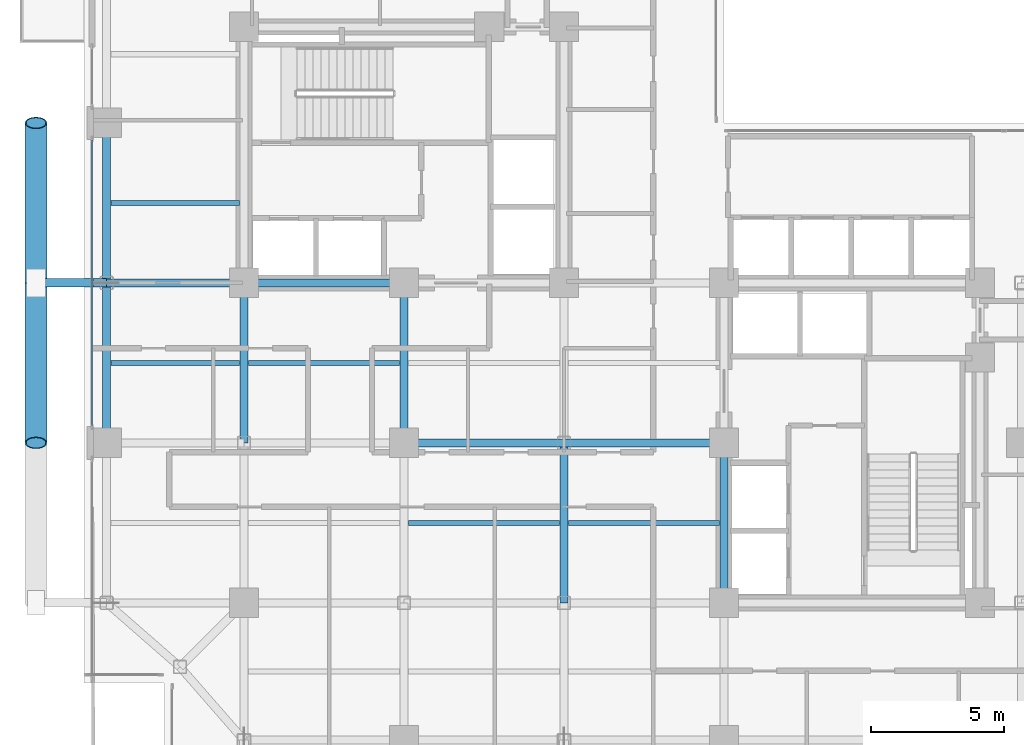
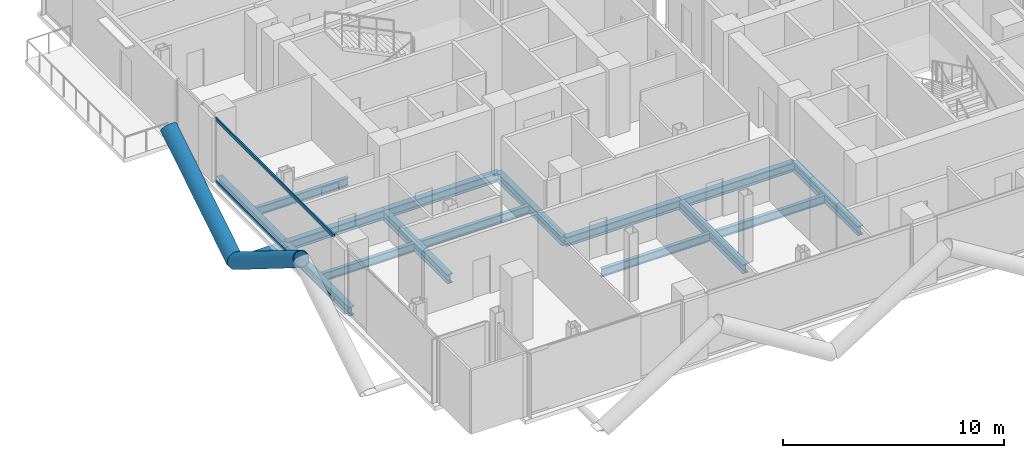
# One storey, part 6 of 28: 15 beams, 5 members, 1 element without a shape of its own.
"""IFC4 building model written with IfcOpenShell, lengths in metres."""

import ifcopenshell
import ifcopenshell.guid

model = None  # the IFC model being written
_history = None  # IfcOwnerHistory: only IFC2X3 demands one
_inside = {}  # id of a spatial element -> (the spatial element, [elements in it])
_under = {}  # id of a project, library or spatial element -> (it, [spatial elements below it])
_declared = {}  # id of a project -> (the project, [libraries it declares])
_typed = {}  # id of a type object -> (the type object, [elements of that type])
_made_of = {}  # id of a material, layer set ... -> (it, [elements and type objects made of it])


def new_model(schema):
    """Start an empty IFC model of exactly this schema.

    Asked for "IFC4X3", IfcOpenShell would pick the latest addendum, in which some entities
    have other attributes; the version numbers below select the first issue.
    IFC2X3 requires an IfcOwnerHistory on every rooted entity: one is made here for all.
    """
    global model, _history
    if schema == "IFC4X3":
        model = ifcopenshell.file(schema_version=(4, 3, 0, 0))
    else:
        model = ifcopenshell.file(schema=schema)
    _inside.clear()
    _under.clear()
    _declared.clear()
    _typed.clear()
    _made_of.clear()
    _history = None
    if model.schema == "IFC2X3":
        org = make("IfcOrganization", Name="unknown")
        user = make(
            "IfcPersonAndOrganization",
            ThePerson=make("IfcPerson", FamilyName="unknown"),
            TheOrganization=org,
        )
        app = make(
            "IfcApplication",
            ApplicationDeveloper=org,
            Version="unknown",
            ApplicationFullName="unknown",
            ApplicationIdentifier="unknown",
        )
        _history = make(
            "IfcOwnerHistory",
            OwningUser=user,
            OwningApplication=app,
            ChangeAction="ADDED",
            CreationDate=0,
        )
    return model


def make(cls, **values):
    """One entity of the class cls with the attributes given. An attribute that is None is left unset."""
    return model.create_entity(
        cls, **{name: value for name, value in values.items() if value is not None}
    )


def rooted(cls, **values):
    """An entity with a GlobalId (a new one), such as an element, a storey or a relation."""
    return make(cls, GlobalId=ifcopenshell.guid.new(), OwnerHistory=_history, **values)


def si_unit(unit_type, name, prefix=None):
    """IfcSIUnit, for example si_unit("LENGTHUNIT", "METRE", prefix="MILLI")."""
    return make("IfcSIUnit", UnitType=unit_type, Prefix=prefix, Name=name)


def assignment(units):
    """IfcUnitAssignment: the units of a project."""
    return None if units is None else make("IfcUnitAssignment", Units=units)


def point(xyz):
    """IfcCartesianPoint."""
    return None if xyz is None else make("IfcCartesianPoint", Coordinates=xyz)


def direction(xyz):
    """IfcDirection."""
    return None if xyz is None else make("IfcDirection", DirectionRatios=xyz)


def frame(location, z_axis=None, x_axis=None):
    """IfcAxis2Placement3D, a coordinate frame: its origin and axes. An axis left out is left unset."""
    return make(
        "IfcAxis2Placement3D",
        Location=point(location),
        Axis=direction(z_axis),
        RefDirection=direction(x_axis),
    )


def frame_2d(location, x_axis=None):
    """IfcAxis2Placement2D, a coordinate frame in the plane: its origin and x axis."""
    return make(
        "IfcAxis2Placement2D", Location=point(location), RefDirection=direction(x_axis)
    )


def origin():
    """The frame at (0, 0, 0) with its axes left unset."""
    return frame((0.0, 0.0, 0.0))


def origin_2d():
    """The frame at (0, 0) in the plane with its x axis left unset."""
    return frame_2d((0.0, 0.0))


def place(relative_to, where):
    """IfcLocalPlacement: puts the frame where relative to a parent placement (None: the world)."""
    return make(
        "IfcLocalPlacement", PlacementRelTo=relative_to, RelativePlacement=where
    )


def context(
    kind, dimensions, precision=None, world=None, true_north=None, identifier=None
):
    """IfcGeometricRepresentationContext, for example the 3D "Model" context."""
    return make(
        "IfcGeometricRepresentationContext",
        ContextIdentifier=identifier,
        ContextType=kind,
        CoordinateSpaceDimension=dimensions,
        Precision=precision,
        WorldCoordinateSystem=world,
        TrueNorth=true_north,
    )


def subcontext(parent, identifier, kind, view, scale=None):
    """IfcGeometricRepresentationSubContext, for example "Body" below "Model"."""
    return make(
        "IfcGeometricRepresentationSubContext",
        ContextIdentifier=identifier,
        ContextType=kind,
        ParentContext=parent,
        TargetScale=scale,
        TargetView=view,
    )


def project(units=None, contexts=None):
    """IfcProject with its units and contexts."""
    return rooted(
        "IfcProject",
        Name="project",
        RepresentationContexts=contexts,
        UnitsInContext=assignment(units),
    )


def spatial(cls, under=None, at=None, **own):
    """A site, building, storey or space (cls), placed at a placement, below another one or the project."""
    s = rooted(cls, ObjectPlacement=at, **own)
    if under is not None:
        _under.setdefault(under.id(), (under, []))[1].append(s)
    return s


def profile(cls, at=None, kind="AREA", **sizes):
    """A parametric profile (cls). Its sizes go by their IFC names, for example OverallWidth=200.0."""
    return make(cls, ProfileType=kind, Position=at, **sizes)


def hollow_rectangle(**sizes):
    """IfcRectangleHollowProfileDef."""
    return profile("IfcRectangleHollowProfileDef", **sizes)


def hollow_circle(**sizes):
    """IfcCircleHollowProfileDef."""
    return profile("IfcCircleHollowProfileDef", **sizes)


def i_section(**sizes):
    """IfcIShapeProfileDef."""
    return profile("IfcIShapeProfileDef", **sizes)


def extrude(swept, where, along, depth):
    """IfcExtrudedAreaSolid: the profile swept, set in the frame where, extruded along a direction by depth."""
    return make(
        "IfcExtrudedAreaSolid",
        SweptArea=swept,
        Position=where,
        ExtrudedDirection=direction(along),
        Depth=depth,
    )


def shape(context_of_items, identifier, shape_type, items):
    """IfcShapeRepresentation: the items that make up one representation, for example the "Body"."""
    return make(
        "IfcShapeRepresentation",
        ContextOfItems=context_of_items,
        RepresentationIdentifier=identifier,
        RepresentationType=shape_type,
        Items=items,
    )


def material(Name=None, Category=None):
    """IfcMaterial."""
    return make("IfcMaterial", Name=Name, Category=Category)


def layer(
    of_material, thickness, ventilated=None, Name=None, Category=None, Priority=None
):
    """IfcMaterialLayer: one layer of a wall or slab, of a material (None: an air gap)."""
    return make(
        "IfcMaterialLayer",
        Material=of_material,
        LayerThickness=thickness,
        IsVentilated=ventilated,
        Name=Name,
        Category=Category,
        Priority=Priority,
    )


def layer_set(layers, Name=None):
    """IfcMaterialLayerSet."""
    return make("IfcMaterialLayerSet", MaterialLayers=layers, LayerSetName=Name)


def material_profile(
    of_material, cross_section, Name=None, Category=None, Priority=None
):
    """IfcMaterialProfile: a cross section and its material."""
    return make(
        "IfcMaterialProfile",
        Name=Name,
        Material=of_material,
        Profile=cross_section,
        Priority=Priority,
        Category=Category,
    )


def profile_set(profiles, Name=None, composite=None):
    """IfcMaterialProfileSet."""
    return make(
        "IfcMaterialProfileSet",
        Name=Name,
        MaterialProfiles=profiles,
        CompositeProfile=composite,
    )


def made_of(thing, what):
    """Note that an element or type object is made of a material, layer set ...; save() writes the relation."""
    if what is not None:
        _made_of.setdefault(what.id(), (what, []))[1].append(thing)
    return thing


def type_object(cls, material=None, **own):
    """A type object (cls), such as IfcWallType, which elements share."""
    return made_of(rooted(cls, **own), material)


def element(
    cls,
    number,
    at=None,
    inside=None,
    cuts=None,
    type_object=None,
    material=None,
    context=None,
    identifier="Body",
    shape_type=None,
    held_by="IfcProductDefinitionShape",
    body=None,
    shapes=None,
    **own,
):
    """One element of the class cls, such as IfcWall. Its Tag is "e" and its number.

    at: its placement. inside: the storey or other place that contains it. cuts: it is an
    opening in that element (IfcRelVoidsElement). A single representation is given by context,
    identifier, shape_type and body (its items); several are given by shapes. held_by: the class
    of the entity that holds the representations. save() writes the other relations.
    """
    e = rooted(cls, Tag="e%d" % number, ObjectPlacement=at, **own)
    if body is not None:
        shapes = [shape(context, identifier, shape_type, body)]
    if shapes is not None:
        e.Representation = make(held_by, Representations=shapes)
    if inside is not None:
        _inside.setdefault(inside.id(), (inside, []))[1].append(e)
    if cuts is not None:
        rooted(
            "IfcRelVoidsElement", RelatingBuildingElement=cuts, RelatedOpeningElement=e
        )
    if type_object is not None:
        _typed.setdefault(type_object.id(), (type_object, []))[1].append(e)
    return made_of(e, material)


def aggregate(whole, parts):
    """IfcRelAggregates: a whole, such as a stair, and the parts it consists of."""
    return rooted("IfcRelAggregates", RelatingObject=whole, RelatedObjects=parts)


def save(model, path):
    """Write the relations noted so far, then the file.

    IfcRelAggregates (storeys below a building ...), IfcRelContainedInSpatialStructure (elements
    in a storey), IfcRelDefinesByType, IfcRelAssociatesMaterial and IfcRelDeclares: one each for
    every whole, place, type object, material and project.
    """
    for whole, parts in _under.values():
        aggregate(whole, parts)
    for where, things in _inside.values():
        rooted(
            "IfcRelContainedInSpatialStructure",
            RelatedElements=things,
            RelatingStructure=where,
        )
    for kind, things in _typed.values():
        rooted("IfcRelDefinesByType", RelatedObjects=things, RelatingType=kind)
    for what, things in _made_of.values():
        rooted("IfcRelAssociatesMaterial", RelatedObjects=things, RelatingMaterial=what)
    for by, libraries in _declared.values():
        rooted("IfcRelDeclares", RelatingContext=by, RelatedDefinitions=libraries)
    model.write(path)


model = new_model("IFC4")

# Units and contexts
model_context = context("Model", 3, precision=1e-05, world=origin(), true_north=direction((0.0, 1.0)))
body_context = subcontext(model_context, "Body", "Model", "MODEL_VIEW")
ifc_project = project(units=[si_unit("LENGTHUNIT", "METRE"), si_unit("AREAUNIT", "SQUARE_METRE"), si_unit("VOLUMEUNIT", "CUBIC_METRE"), si_unit("PLANEANGLEUNIT", "RADIAN"), si_unit("MASSUNIT", "GRAM", prefix="KILO"), si_unit("THERMODYNAMICTEMPERATUREUNIT", "KELVIN"), si_unit("POWERUNIT", "WATT")], contexts=[model_context])

# Site, building, storey
site_placement = place(None, origin())
site = spatial("IfcSite", under=ifc_project, at=site_placement, CompositionType="ELEMENT")
building_placement = place(site_placement, origin())
building = spatial("IfcBuilding", under=site, at=building_placement, Name="Svarakhadi Broadcast Tower", CompositionType="ELEMENT")
storey_placement = place(building_placement, frame((0.0, 0.0, 149.39990234375)))
storey = spatial("IfcBuildingStorey", under=building, at=storey_placement, Name="L36", CompositionType="ELEMENT", Elevation=149.39990234375)

# Beams
ifc_material_1 = material(Name="Steel S355J2 (IS 2062 E350C)", Category="steel")
ifc_material_profile_1 = material_profile(ifc_material_1, i_section(OverallWidth=0.18994140625, OverallDepth=0.449951171875, WebThickness=0.009521484375, FlangeThickness=0.0146484375, FilletRadius=0.02099609375, at=origin_2d()), Name="NPB 450x190x78")
ifc_profile_set_1 = profile_set([ifc_material_profile_1], Name="Steel S355J2 (IS 2062 E350C)")
beam_type_1 = type_object("IfcBeamType", Name="Beam_NPB450", PredefinedType="BEAM", material=ifc_profile_set_1)
for number, where, z_axis, x_axis, name in (
    (1, (1.010009765625, 15.0, -0.449951171875), (1.0, 0.0, 0.0), (0.0, 1.0, 0.0), "L36 Secondary Composite Beam SB002"),
    (2, (1.010009765625, 21.0, -0.449951171875), (1.0, 0.0, 0.0), (0.0, 1.0, 0.0), "L36 Secondary Composite Beam SB003"),
):
    element("IfcBeam", number, at=place(storey_placement, frame(where, z_axis=z_axis, x_axis=x_axis)), inside=storey, type_object=beam_type_1, Name=name, PredefinedType="BEAM", context=body_context, shape_type="SweptSolid", body=[
        extrude(i_section(OverallWidth=0.18994140625, OverallDepth=0.449951171875, WebThickness=0.009521484375, FlangeThickness=0.0146484375, FilletRadius=0.02099609375, at=origin_2d()), origin(), (0.0, 0.0, 1.0), 4.830078125),
    ])
for number, where, z_axis, x_axis, name in (
    (3, (6.159912109375, 15.0, -0.449951171875), (1.0, 0.0, 0.0), (0.0, 1.0, 0.0), "L36 Secondary Composite Beam SB008"),
    (4, (12.159912109375, 9.0, -0.449951171875), (1.0, 0.0, 0.0), (0.0, 1.0, 0.0), "L36 Secondary Composite Beam SB012"),
    (5, (18.159912109375, 9.0, -0.449951171875), (1.0, 0.0, 0.0), (0.0, 1.0, 0.0), "L36 Secondary Composite Beam SB017"),
):
    element("IfcBeam", number, at=place(storey_placement, frame(where, z_axis=z_axis, x_axis=x_axis)), inside=storey, type_object=beam_type_1, Name=name, PredefinedType="BEAM", context=body_context, shape_type="SweptSolid", body=[
        extrude(i_section(OverallWidth=0.18994140625, OverallDepth=0.449951171875, WebThickness=0.009521484375, FlangeThickness=0.0146484375, FilletRadius=0.02099609375, at=origin_2d()), origin(), (0.0, 0.0, 1.0), 5.68017578125),
    ])

# Curtain wall, members
ifc_material_2 = material(Name="Anodised Bronze Aluminium AA 6063-T6", Category="aluminium")
ifc_layer = layer(ifc_material_2, 0.199951171875)
ifc_layer_set = layer_set([ifc_layer], Name="Anodised Bronze Aluminium AA 6063-T6")
curtain_wall_type = type_object("IfcCurtainWallType", Name="CW_Sys_03", PredefinedType="NOTDEFINED", material=ifc_layer_set)
curtain_wall_placement = place(storey_placement, origin())
curtain_wall = element("IfcCurtainWall", 6, at=curtain_wall_placement, inside=storey, type_object=curtain_wall_type, Name="L36 West Curtain Wall 02 Bay 2", PredefinedType="NOTDEFINED")
ifc_material_profile_2 = material_profile(ifc_material_2, hollow_rectangle(XDim=0.070068359375, YDim=0.18505859375, WallThickness=0.0048828125, at=origin_2d()), Name="ALU TRANSOM 185x70x5")
ifc_profile_set_2 = profile_set([ifc_material_profile_2], Name="Anodised Bronze Aluminium AA 6063-T6")
member_type_1 = type_object("IfcMemberType", Name="CW_Sys_03_Trn", PredefinedType="USERDEFINED", material=ifc_profile_set_2)
member_1_placement = place(storey_placement, frame((0.300048828125, 12.64501953125, 0.03515625), z_axis=(0.0, 1.0, 0.0), x_axis=(-1.0, 0.0, 0.0)))
member_1 = element("IfcMember", 7, at=member_1_placement, type_object=member_type_1, Name="CW-03 transom 1.1", ObjectType="TRANSOM", PredefinedType="USERDEFINED", context=body_context, shape_type="SweptSolid", body=[
    extrude(hollow_rectangle(XDim=0.070068359375, YDim=0.18505859375, WallThickness=0.0048828125, at=origin_2d()), origin(), (0.0, 0.0, 1.0), 10.7099609375),
])
member_2_placement = place(storey_placement, frame((0.300048828125, 12.64501953125, 3.489990234375), z_axis=(0.0, 1.0, 0.0), x_axis=(-1.0, 0.0, 0.0)))
member_2 = element("IfcMember", 8, at=member_2_placement, type_object=member_type_1, Name="CW-03 transom 1.2", ObjectType="TRANSOM", PredefinedType="USERDEFINED", context=body_context, shape_type="SweptSolid", body=[
    extrude(hollow_rectangle(XDim=0.070068359375, YDim=0.18505859375, WallThickness=0.0048828125, at=origin_2d()), origin(), (0.0, 0.0, 1.0), 10.7099609375),
])
aggregate(curtain_wall, [member_1, member_2])

# Members
ifc_material_3 = material(Name="Steel S460ML (IS 2062 E450BR)", Category="steel")
ifc_material_profile_3 = material_profile(ifc_material_3, hollow_circle(Radius=0.406494140625, WallThickness=0.0400390625, at=origin_2d()), Name="CHS 813x40")
ifc_profile_set_3 = profile_set([ifc_material_profile_3], Name="Steel S460ML (IS 2062 E450BR)")
member_type_2 = type_object("IfcMemberType", Name="Exo_Brace_CHS813", PredefinedType="BRACE", material=ifc_profile_set_3)
for number, where, z_axis, x_axis, name in (
    (9, (-1.800048828125, 18.0, -0.386962890625), (0.0, -0.847998304005, 0.529998940003), (1.0, 0.0, 0.0), "L36 Exposed Bronze Exoskeleton Diagonal W06"),
    (10, (-1.800048828125, 18.0, -0.386962890625), (0.0, 0.847998304005, 0.529998940003), (-1.0, 0.0, 0.0), "L36 Exposed Bronze Exoskeleton Diagonal W07"),
):
    element("IfcMember", number, at=place(storey_placement, frame(where, z_axis=z_axis, x_axis=x_axis)), inside=storey, type_object=member_type_2, Name=name, PredefinedType="BRACE", context=body_context, shape_type="SweptSolid", body=[
        extrude(hollow_circle(Radius=0.406494140625, WallThickness=0.0400390625, at=origin_2d()), origin(), (0.0, 0.0, 1.0), 7.075439453125),
    ])
ifc_material_profile_4 = material_profile(ifc_material_3, hollow_circle(Radius=0.161865234375, WallThickness=0.01611328125, at=origin_2d()), Name="CHS 323.9x16")
ifc_profile_set_4 = profile_set([ifc_material_profile_4], Name="Steel S460ML (IS 2062 E450BR)")
member_type_3 = type_object("IfcMemberType", Name="Exo_Radial_Strut_Z2", PredefinedType="STRUT", material=ifc_profile_set_4)
member_3_placement = place(storey_placement, frame((-1.800048828125, 18.0, -0.386962890625), z_axis=(1.0, 0.0, 0.0), x_axis=(0.0, 1.0, 0.0)))
element("IfcMember", 11, at=member_3_placement, inside=storey, type_object=member_type_3, Name="L36 Exoskeleton Radial Tie Strut W06", PredefinedType="STRUT", context=body_context, shape_type="SweptSolid", body=[
    extrude(hollow_circle(Radius=0.161865234375, WallThickness=0.01611328125, at=origin_2d()), origin(), (0.0, 0.0, 1.0), 2.650146484375),
])

# Beams
ifc_material_profile_5 = material_profile(ifc_material_1, i_section(OverallWidth=0.300048828125, OverallDepth=0.5, WebThickness=0.014404296875, FlangeThickness=0.028076171875, FilletRadius=0.027099609375, at=origin_2d()), Name="WPB 500x300x187")
ifc_profile_set_5 = profile_set([ifc_material_profile_5], Name="Steel S355J2 (IS 2062 E350C)")
beam_type_2 = type_object("IfcBeamType", Name="Girder_WPB500", PredefinedType="USERDEFINED", material=ifc_profile_set_5)
for number, where, z_axis, x_axis, name in (
    (12, (12.0, 12.0, -0.474853515625), (1.0, 0.0, 0.0), (0.0, 1.0, 0.0), "L36 Primary E-W Girder G019"),
    (13, (18.0, 12.0, -0.474853515625), (1.0, 0.0, 0.0), (0.0, 1.0, 0.0), "L36 Primary E-W Girder G020"),
):
    element("IfcBeam", number, at=place(storey_placement, frame(where, z_axis=z_axis, x_axis=x_axis)), inside=storey, type_object=beam_type_2, Name=name, ObjectType="GIRDER", PredefinedType="USERDEFINED", context=body_context, shape_type="SweptSolid", body=[
        extrude(i_section(OverallWidth=0.300048828125, OverallDepth=0.5, WebThickness=0.014404296875, FlangeThickness=0.028076171875, FilletRadius=0.027099609375, at=origin_2d()), origin(), (0.0, 0.0, 1.0), 6.0),
    ])
beam_placement = place(storey_placement, frame((0.85009765625, 18.0, -0.474853515625), z_axis=(1.0, 0.0, 0.0), x_axis=(0.0, 1.0, 0.0)))
element("IfcBeam", 14, at=beam_placement, inside=storey, type_object=beam_type_2, Name="L36 Primary E-W Girder G023", ObjectType="GIRDER", PredefinedType="USERDEFINED", context=body_context, shape_type="SweptSolid", body=[
    extrude(i_section(OverallWidth=0.300048828125, OverallDepth=0.5, WebThickness=0.014404296875, FlangeThickness=0.028076171875, FilletRadius=0.027099609375, at=origin_2d()), origin(), (0.0, 0.0, 1.0), 5.14990234375),
])
for number, where, z_axis, x_axis, name in (
    (15, (6.0, 18.0, -0.474853515625), (1.0, 0.0, 0.0), (0.0, 1.0, 0.0), "L36 Primary E-W Girder G024"),
    (16, (0.85009765625, 12.0, -0.474853515625), (0.0, 1.0, 0.0), (-1.0, 0.0, 0.0), "L36 Primary N-S Girder G041"),
    (17, (0.85009765625, 18.0, -0.474853515625), (0.0, 1.0, 0.0), (-1.0, 0.0, 0.0), "L36 Primary N-S Girder G042"),
    (18, (6.0, 12.0, -0.474853515625), (0.0, 1.0, 0.0), (-1.0, 0.0, 0.0), "L36 Primary N-S Girder G047"),
    (19, (12.0, 12.0, -0.474853515625), (0.0, 1.0, 0.0), (-1.0, 0.0, 0.0), "L36 Primary N-S Girder G053"),
    (20, (18.0, 6.0, -0.474853515625), (0.0, 1.0, 0.0), (-1.0, 0.0, 0.0), "L36 Primary N-S Girder G057"),
    (21, (24.0, 6.0, -0.474853515625), (0.0, 1.0, 0.0), (-1.0, 0.0, 0.0), "L36 Primary N-S Girder G063"),
):
    element("IfcBeam", number, at=place(storey_placement, frame(where, z_axis=z_axis, x_axis=x_axis)), inside=storey, type_object=beam_type_2, Name=name, ObjectType="GIRDER", PredefinedType="USERDEFINED", context=body_context, shape_type="SweptSolid", body=[
        extrude(i_section(OverallWidth=0.300048828125, OverallDepth=0.5, WebThickness=0.014404296875, FlangeThickness=0.028076171875, FilletRadius=0.027099609375, at=origin_2d()), origin(), (0.0, 0.0, 1.0), 6.0),
    ])

save(model, "model.ifc")
